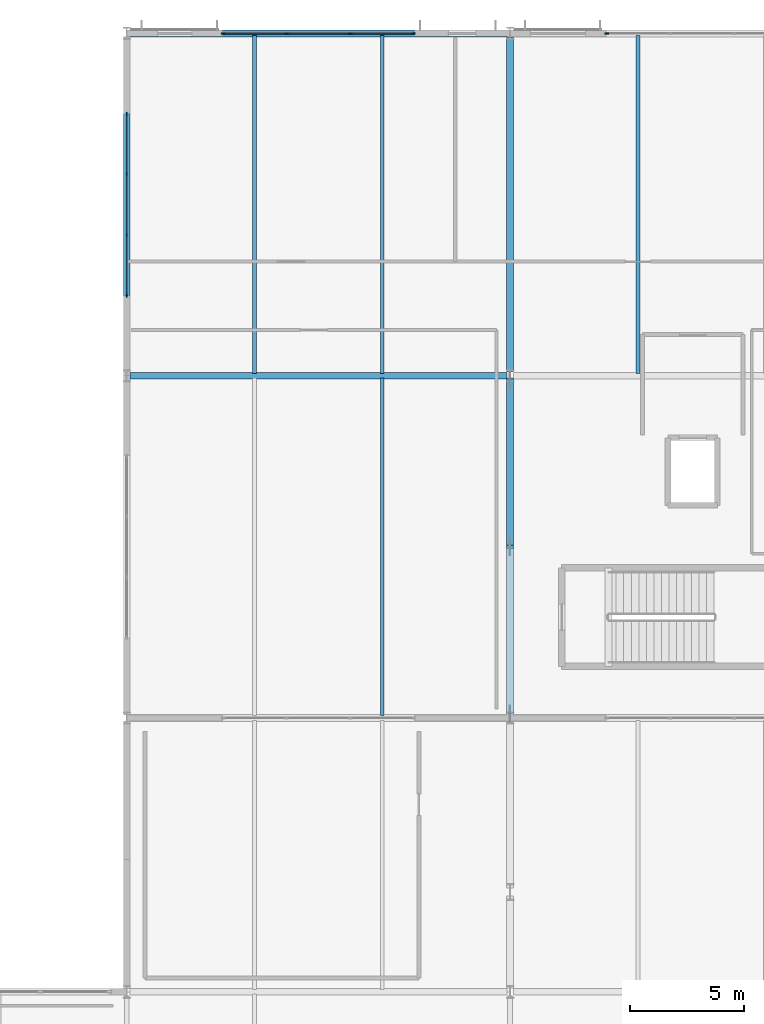
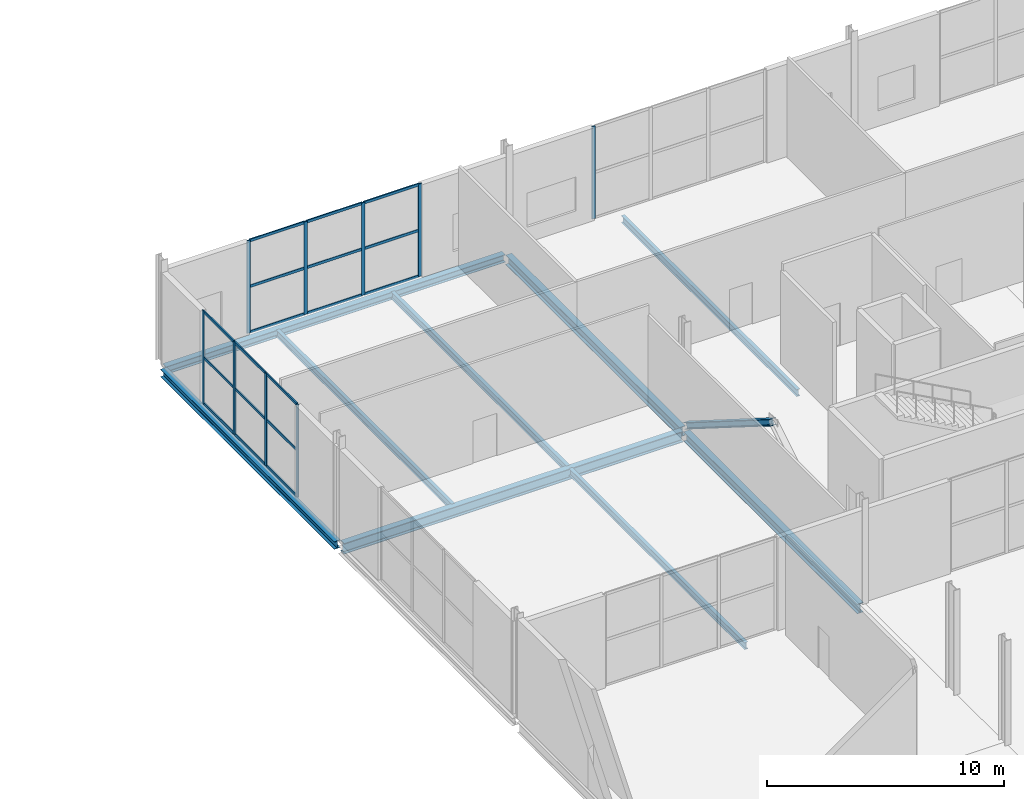
# One storey, part 28 of 84: 28 members, 9 beams, 3 elements without a shape of their own.
"""IFC4 building model written with IfcOpenShell, lengths in metres."""

from ifc_helpers import new_model, si_unit, direction, frame, origin, origin_2d, place, context, subcontext, project, spatial, rectangle, i_section, extrude, material, material_profile, profile_set, type_object, element, aggregate, save


model = new_model("IFC4")

# Units and contexts
model_context = context("Model", 3, precision=1e-05, world=origin(), true_north=direction((0.0, 1.0)))
body_context = subcontext(model_context, "Body", "Model", "MODEL_VIEW")
ifc_project = project(units=[si_unit("LENGTHUNIT", "METRE"), si_unit("AREAUNIT", "SQUARE_METRE"), si_unit("VOLUMEUNIT", "CUBIC_METRE"), si_unit("PLANEANGLEUNIT", "RADIAN"), si_unit("MASSUNIT", "GRAM", prefix="KILO")], contexts=[model_context])

# Site, building, storey
site_placement = place(None, origin())
site = spatial("IfcSite", under=ifc_project, at=site_placement, CompositionType="ELEMENT")
building_placement = place(site_placement, origin())
building = spatial("IfcBuilding", under=site, at=building_placement, Name="Kimbaza Rail Terminus", CompositionType="ELEMENT")
storey_placement = place(building_placement, frame((0.0, 0.0, 5.39990234375)))
storey = spatial("IfcBuildingStorey", under=building, at=storey_placement, Name="L01", CompositionType="ELEMENT", Elevation=5.39990234375)

# Curtain wall, members
ifc_material_1 = material(Name="Anodised aluminium framing and solar low-E glazing", Category="aluminium")
curtain_wall_type = type_object("IfcCurtainWallType", Name="ARC-CW-OP1", PredefinedType="USERDEFINED", material=ifc_material_1)
curtain_wall_1_placement = place(storey_placement, origin())
curtain_wall_1 = element("IfcCurtainWall", 1, at=curtain_wall_1_placement, inside=storey, type_object=curtain_wall_type, Name="Operations North Curtain Wall L01 Bay 1", ObjectType="UNITISED CURTAIN WALL", PredefinedType="USERDEFINED")
ifc_material_2 = material(Name="Anodised architectural aluminium", Category="aluminium")
ifc_material_profile_1 = material_profile(ifc_material_2, rectangle(XDim=0.06201171875, YDim=0.1650390625, at=origin_2d()), Name="MULLION 62x165")
ifc_profile_set_1 = profile_set([ifc_material_profile_1], Name="Anodised architectural aluminium")
member_type_1 = type_object("IfcMemberType", Name="ARC-CWM-05", PredefinedType="MULLION", material=ifc_profile_set_1)
member_1_placement = place(storey_placement, frame((59.430908203125, 133.0, 0.0), z_axis=(0.0, 0.0, 1.0), x_axis=(0.0, 1.0, 0.0)))
member_1 = element("IfcMember", 2, at=member_1_placement, type_object=member_type_1, Name="CW-05 mullion 1", PredefinedType="MULLION", context=body_context, shape_type="SweptSolid", body=[
    extrude(rectangle(XDim=0.06201171875, YDim=0.1650390625, at=origin_2d()), origin(), (0.0, 0.0, 1.0), 4.76513671875),
])
member_2_placement = place(storey_placement, frame((62.199951171875, 133.0, 0.0), z_axis=(0.0, 0.0, 1.0), x_axis=(0.0, 1.0, 0.0)))
member_2 = element("IfcMember", 3, at=member_2_placement, type_object=member_type_1, Name="CW-05 mullion 2", PredefinedType="MULLION", context=body_context, shape_type="SweptSolid", body=[
    extrude(rectangle(XDim=0.06201171875, YDim=0.1650390625, at=origin_2d()), origin(), (0.0, 0.0, 1.0), 4.76513671875),
])
member_3_placement = place(storey_placement, frame((65.0, 133.0, 0.0), z_axis=(0.0, 0.0, 1.0), x_axis=(0.0, 1.0, 0.0)))
member_3 = element("IfcMember", 4, at=member_3_placement, type_object=member_type_1, Name="CW-05 mullion 3", PredefinedType="MULLION", context=body_context, shape_type="SweptSolid", body=[
    extrude(rectangle(XDim=0.06201171875, YDim=0.1650390625, at=origin_2d()), origin(), (0.0, 0.0, 1.0), 4.76513671875),
])
member_4_placement = place(storey_placement, frame((67.76904296875, 133.0, 0.0), z_axis=(0.0, 0.0, 1.0), x_axis=(0.0, 1.0, 0.0)))
member_4 = element("IfcMember", 5, at=member_4_placement, type_object=member_type_1, Name="CW-05 mullion 4", PredefinedType="MULLION", context=body_context, shape_type="SweptSolid", body=[
    extrude(rectangle(XDim=0.06201171875, YDim=0.1650390625, at=origin_2d()), origin(), (0.0, 0.0, 1.0), 4.76513671875),
])

# Curtain wall, member
curtain_wall_2_placement = place(storey_placement, origin())
curtain_wall_2 = element("IfcCurtainWall", 6, at=curtain_wall_2_placement, inside=storey, type_object=curtain_wall_type, Name="Operations North Curtain Wall L01 Bay 2", ObjectType="UNITISED CURTAIN WALL", PredefinedType="USERDEFINED")
member_5_placement = place(storey_placement, frame((76.23095703125, 133.0, 0.0), z_axis=(0.0, 0.0, 1.0), x_axis=(0.0, 1.0, 0.0)))
member_5 = element("IfcMember", 7, at=member_5_placement, type_object=member_type_1, Name="CW-05 mullion 1", PredefinedType="MULLION", context=body_context, shape_type="SweptSolid", body=[
    extrude(rectangle(XDim=0.06201171875, YDim=0.1650390625, at=origin_2d()), origin(), (0.0, 0.0, 1.0), 4.76513671875),
])
aggregate(curtain_wall_2, [member_5])

# Curtain wall, members
curtain_wall_3_placement = place(storey_placement, origin())
curtain_wall_3 = element("IfcCurtainWall", 8, at=curtain_wall_3_placement, inside=storey, type_object=curtain_wall_type, Name="Operations W Curtain Wall L01.2", ObjectType="UNITISED CURTAIN WALL", PredefinedType="USERDEFINED")
member_6_placement = place(storey_placement, frame((55.199951171875, 121.531005859375, 0.0), z_axis=(0.0, 0.0, 1.0), x_axis=(-1.0, 0.0, 0.0)))
member_6 = element("IfcMember", 9, at=member_6_placement, type_object=member_type_1, Name="CW-05 mullion 1", PredefinedType="MULLION", context=body_context, shape_type="SweptSolid", body=[
    extrude(rectangle(XDim=0.06201171875, YDim=0.1650390625, at=origin_2d()), origin(), (0.0, 0.0, 1.0), 4.76513671875),
])
member_7_placement = place(storey_placement, frame((55.199951171875, 124.166748046875, 0.0), z_axis=(0.0, 0.0, 1.0), x_axis=(-1.0, 0.0, 0.0)))
member_7 = element("IfcMember", 10, at=member_7_placement, type_object=member_type_1, Name="CW-05 mullion 2", PredefinedType="MULLION", context=body_context, shape_type="SweptSolid", body=[
    extrude(rectangle(XDim=0.06201171875, YDim=0.1650390625, at=origin_2d()), origin(), (0.0, 0.0, 1.0), 4.76513671875),
])
member_8_placement = place(storey_placement, frame((55.199951171875, 126.833251953125, 0.0), z_axis=(0.0, 0.0, 1.0), x_axis=(-1.0, 0.0, 0.0)))
member_8 = element("IfcMember", 11, at=member_8_placement, type_object=member_type_1, Name="CW-05 mullion 3", PredefinedType="MULLION", context=body_context, shape_type="SweptSolid", body=[
    extrude(rectangle(XDim=0.06201171875, YDim=0.1650390625, at=origin_2d()), origin(), (0.0, 0.0, 1.0), 4.76513671875),
])
member_9_placement = place(storey_placement, frame((55.199951171875, 129.468994140625, 0.0), z_axis=(0.0, 0.0, 1.0), x_axis=(-1.0, 0.0, 0.0)))
member_9 = element("IfcMember", 12, at=member_9_placement, type_object=member_type_1, Name="CW-05 mullion 4", PredefinedType="MULLION", context=body_context, shape_type="SweptSolid", body=[
    extrude(rectangle(XDim=0.06201171875, YDim=0.1650390625, at=origin_2d()), origin(), (0.0, 0.0, 1.0), 4.76513671875),
])

# Member
ifc_material_3 = material(Name="Anodised architectural aluminium", Category="aluminium")
ifc_material_profile_2 = material_profile(ifc_material_3, rectangle(XDim=0.06201171875, YDim=0.135009765625, at=origin_2d()), Name="TRANSOM 62x135")
ifc_profile_set_2 = profile_set([ifc_material_profile_2], Name="Anodised architectural aluminium")
member_type_2 = type_object("IfcMemberType", Name="ARC-CWT-05", PredefinedType="USERDEFINED", material=ifc_profile_set_2)
member_10_placement = place(storey_placement, frame((59.4619140625, 133.0, 0.031005859375), z_axis=(1.0, 0.0, 0.0), x_axis=(0.0, 1.0, 0.0)))
member_10 = element("IfcMember", 13, at=member_10_placement, type_object=member_type_2, Name="CW-05 transom 1.1", ObjectType="TRANSOM", PredefinedType="USERDEFINED", context=body_context, shape_type="SweptSolid", body=[
    extrude(rectangle(XDim=0.06201171875, YDim=0.135009765625, at=origin_2d()), origin(), (0.0, 0.0, 1.0), 2.70703125),
])

member_11_placement = place(storey_placement, frame((59.4619140625, 133.0, 2.382568359375), z_axis=(1.0, 0.0, 0.0), x_axis=(0.0, 1.0, 0.0)))
member_11 = element("IfcMember", 14, at=member_11_placement, type_object=member_type_2, Name="CW-05 transom 1.2", ObjectType="TRANSOM", PredefinedType="USERDEFINED", context=body_context, shape_type="SweptSolid", body=[
    extrude(rectangle(XDim=0.06201171875, YDim=0.135009765625, at=origin_2d()), origin(), (0.0, 0.0, 1.0), 2.70703125),
])

member_12_placement = place(storey_placement, frame((59.4619140625, 133.0, 4.734130859375), z_axis=(1.0, 0.0, 0.0), x_axis=(0.0, 1.0, 0.0)))
member_12 = element("IfcMember", 15, at=member_12_placement, type_object=member_type_2, Name="CW-05 transom 1.3", ObjectType="TRANSOM", PredefinedType="USERDEFINED", context=body_context, shape_type="SweptSolid", body=[
    extrude(rectangle(XDim=0.06201171875, YDim=0.135009765625, at=origin_2d()), origin(), (0.0, 0.0, 1.0), 2.70703125),
])

member_13_placement = place(storey_placement, frame((62.23095703125, 133.0, 0.031005859375), z_axis=(1.0, 0.0, 0.0), x_axis=(0.0, 1.0, 0.0)))
member_13 = element("IfcMember", 16, at=member_13_placement, type_object=member_type_2, Name="CW-05 transom 2.1", ObjectType="TRANSOM", PredefinedType="USERDEFINED", context=body_context, shape_type="SweptSolid", body=[
    extrude(rectangle(XDim=0.06201171875, YDim=0.135009765625, at=origin_2d()), origin(), (0.0, 0.0, 1.0), 2.738037109375),
])

member_14_placement = place(storey_placement, frame((62.23095703125, 133.0, 2.382568359375), z_axis=(1.0, 0.0, 0.0), x_axis=(0.0, 1.0, 0.0)))
member_14 = element("IfcMember", 17, at=member_14_placement, type_object=member_type_2, Name="CW-05 transom 2.2", ObjectType="TRANSOM", PredefinedType="USERDEFINED", context=body_context, shape_type="SweptSolid", body=[
    extrude(rectangle(XDim=0.06201171875, YDim=0.135009765625, at=origin_2d()), origin(), (0.0, 0.0, 1.0), 2.738037109375),
])

member_15_placement = place(storey_placement, frame((62.23095703125, 133.0, 4.734130859375), z_axis=(1.0, 0.0, 0.0), x_axis=(0.0, 1.0, 0.0)))
member_15 = element("IfcMember", 18, at=member_15_placement, type_object=member_type_2, Name="CW-05 transom 2.3", ObjectType="TRANSOM", PredefinedType="USERDEFINED", context=body_context, shape_type="SweptSolid", body=[
    extrude(rectangle(XDim=0.06201171875, YDim=0.135009765625, at=origin_2d()), origin(), (0.0, 0.0, 1.0), 2.738037109375),
])

member_16_placement = place(storey_placement, frame((65.031005859375, 133.0, 0.031005859375), z_axis=(1.0, 0.0, 0.0), x_axis=(0.0, 1.0, 0.0)))
member_16 = element("IfcMember", 19, at=member_16_placement, type_object=member_type_2, Name="CW-05 transom 3.1", ObjectType="TRANSOM", PredefinedType="USERDEFINED", context=body_context, shape_type="SweptSolid", body=[
    extrude(rectangle(XDim=0.06201171875, YDim=0.135009765625, at=origin_2d()), origin(), (0.0, 0.0, 1.0), 2.70703125),
])

member_17_placement = place(storey_placement, frame((65.031005859375, 133.0, 2.382568359375), z_axis=(1.0, 0.0, 0.0), x_axis=(0.0, 1.0, 0.0)))
member_17 = element("IfcMember", 20, at=member_17_placement, type_object=member_type_2, Name="CW-05 transom 3.2", ObjectType="TRANSOM", PredefinedType="USERDEFINED", context=body_context, shape_type="SweptSolid", body=[
    extrude(rectangle(XDim=0.06201171875, YDim=0.135009765625, at=origin_2d()), origin(), (0.0, 0.0, 1.0), 2.70703125),
])

member_18_placement = place(storey_placement, frame((65.031005859375, 133.0, 4.734130859375), z_axis=(1.0, 0.0, 0.0), x_axis=(0.0, 1.0, 0.0)))
member_18 = element("IfcMember", 21, at=member_18_placement, type_object=member_type_2, Name="CW-05 transom 3.3", ObjectType="TRANSOM", PredefinedType="USERDEFINED", context=body_context, shape_type="SweptSolid", body=[
    extrude(rectangle(XDim=0.06201171875, YDim=0.135009765625, at=origin_2d()), origin(), (0.0, 0.0, 1.0), 2.70703125),
])

aggregate(curtain_wall_1, [member_1, member_2, member_3, member_4, member_10, member_11, member_12, member_13, member_14, member_15, member_16, member_17, member_18])

member_19_placement = place(storey_placement, frame((55.199951171875, 121.56201171875, 0.031005859375), z_axis=(0.0, 1.0, 0.0), x_axis=(-1.0, 0.0, 0.0)))
member_19 = element("IfcMember", 22, at=member_19_placement, type_object=member_type_2, Name="CW-05 transom 1.1", ObjectType="TRANSOM", PredefinedType="USERDEFINED", context=body_context, shape_type="SweptSolid", body=[
    extrude(rectangle(XDim=0.06201171875, YDim=0.135009765625, at=origin_2d()), origin(), (0.0, 0.0, 1.0), 2.57373046875),
])

member_20_placement = place(storey_placement, frame((55.199951171875, 121.56201171875, 2.382568359375), z_axis=(0.0, 1.0, 0.0), x_axis=(-1.0, 0.0, 0.0)))
member_20 = element("IfcMember", 23, at=member_20_placement, type_object=member_type_2, Name="CW-05 transom 1.2", ObjectType="TRANSOM", PredefinedType="USERDEFINED", context=body_context, shape_type="SweptSolid", body=[
    extrude(rectangle(XDim=0.06201171875, YDim=0.135009765625, at=origin_2d()), origin(), (0.0, 0.0, 1.0), 2.57373046875),
])

member_21_placement = place(storey_placement, frame((55.199951171875, 121.56201171875, 4.734130859375), z_axis=(0.0, 1.0, 0.0), x_axis=(-1.0, 0.0, 0.0)))
member_21 = element("IfcMember", 24, at=member_21_placement, type_object=member_type_2, Name="CW-05 transom 1.3", ObjectType="TRANSOM", PredefinedType="USERDEFINED", context=body_context, shape_type="SweptSolid", body=[
    extrude(rectangle(XDim=0.06201171875, YDim=0.135009765625, at=origin_2d()), origin(), (0.0, 0.0, 1.0), 2.57373046875),
])

member_22_placement = place(storey_placement, frame((55.199951171875, 124.19775390625, 0.031005859375), z_axis=(0.0, 1.0, 0.0), x_axis=(-1.0, 0.0, 0.0)))
member_22 = element("IfcMember", 25, at=member_22_placement, type_object=member_type_2, Name="CW-05 transom 2.1", ObjectType="TRANSOM", PredefinedType="USERDEFINED", context=body_context, shape_type="SweptSolid", body=[
    extrude(rectangle(XDim=0.06201171875, YDim=0.135009765625, at=origin_2d()), origin(), (0.0, 0.0, 1.0), 2.6044921875),
])

member_23_placement = place(storey_placement, frame((55.199951171875, 124.19775390625, 2.382568359375), z_axis=(0.0, 1.0, 0.0), x_axis=(-1.0, 0.0, 0.0)))
member_23 = element("IfcMember", 26, at=member_23_placement, type_object=member_type_2, Name="CW-05 transom 2.2", ObjectType="TRANSOM", PredefinedType="USERDEFINED", context=body_context, shape_type="SweptSolid", body=[
    extrude(rectangle(XDim=0.06201171875, YDim=0.135009765625, at=origin_2d()), origin(), (0.0, 0.0, 1.0), 2.6044921875),
])

member_24_placement = place(storey_placement, frame((55.199951171875, 124.19775390625, 4.734130859375), z_axis=(0.0, 1.0, 0.0), x_axis=(-1.0, 0.0, 0.0)))
member_24 = element("IfcMember", 27, at=member_24_placement, type_object=member_type_2, Name="CW-05 transom 2.3", ObjectType="TRANSOM", PredefinedType="USERDEFINED", context=body_context, shape_type="SweptSolid", body=[
    extrude(rectangle(XDim=0.06201171875, YDim=0.135009765625, at=origin_2d()), origin(), (0.0, 0.0, 1.0), 2.6044921875),
])

member_25_placement = place(storey_placement, frame((55.199951171875, 126.8642578125, 0.031005859375), z_axis=(0.0, 1.0, 0.0), x_axis=(-1.0, 0.0, 0.0)))
member_25 = element("IfcMember", 28, at=member_25_placement, type_object=member_type_2, Name="CW-05 transom 3.1", ObjectType="TRANSOM", PredefinedType="USERDEFINED", context=body_context, shape_type="SweptSolid", body=[
    extrude(rectangle(XDim=0.06201171875, YDim=0.135009765625, at=origin_2d()), origin(), (0.0, 0.0, 1.0), 2.57373046875),
])

member_26_placement = place(storey_placement, frame((55.199951171875, 126.8642578125, 2.382568359375), z_axis=(0.0, 1.0, 0.0), x_axis=(-1.0, 0.0, 0.0)))
member_26 = element("IfcMember", 29, at=member_26_placement, type_object=member_type_2, Name="CW-05 transom 3.2", ObjectType="TRANSOM", PredefinedType="USERDEFINED", context=body_context, shape_type="SweptSolid", body=[
    extrude(rectangle(XDim=0.06201171875, YDim=0.135009765625, at=origin_2d()), origin(), (0.0, 0.0, 1.0), 2.57373046875),
])

member_27_placement = place(storey_placement, frame((55.199951171875, 126.8642578125, 4.734130859375), z_axis=(0.0, 1.0, 0.0), x_axis=(-1.0, 0.0, 0.0)))
member_27 = element("IfcMember", 30, at=member_27_placement, type_object=member_type_2, Name="CW-05 transom 3.3", ObjectType="TRANSOM", PredefinedType="USERDEFINED", context=body_context, shape_type="SweptSolid", body=[
    extrude(rectangle(XDim=0.06201171875, YDim=0.135009765625, at=origin_2d()), origin(), (0.0, 0.0, 1.0), 2.57373046875),
])

aggregate(curtain_wall_3, [member_6, member_7, member_8, member_9, member_19, member_20, member_21, member_22, member_23, member_24, member_25, member_26, member_27])

# Beams
ifc_material_4 = material(Name="Steel S355", Category="steel")
ifc_material_profile_3 = material_profile(ifc_material_4, i_section(OverallWidth=0.300048828125, OverallDepth=0.389892578125, WebThickness=0.010986328125, FlangeThickness=0.01904296875, FilletRadius=0.027099609375, at=origin_2d()), Name="HEA 400")
ifc_profile_set_3 = profile_set([ifc_material_profile_3], Name="Steel S355")
beam_type_1 = type_object("IfcBeamType", Name="STR-BM-HEA400", PredefinedType="SPANDREL", material=ifc_profile_set_3)
beam_1_placement = place(storey_placement, frame((55.345947265625, 133.0, -0.434814453125), z_axis=(1.0, 0.0, 0.0), x_axis=(0.0, 1.0, 0.0)))
element("IfcBeam", 31, at=beam_1_placement, inside=storey, type_object=beam_type_1, Name="Operations Girder L01 X0-Y2", PredefinedType="SPANDREL", context=body_context, shape_type="SweptSolid", body=[
    extrude(i_section(OverallWidth=0.300048828125, OverallDepth=0.389892578125, WebThickness=0.010986328125, FlangeThickness=0.01904296875, FilletRadius=0.027099609375, at=origin_2d()), origin(), (0.0, 0.0, 1.0), 16.508056640625),
])
beam_2_placement = place(storey_placement, frame((55.199951171875, 118.175048828125, -0.434814453125), z_axis=(0.0, 1.0, 0.0), x_axis=(-1.0, 0.0, 0.0)))
element("IfcBeam", 32, at=beam_2_placement, inside=storey, type_object=beam_type_1, Name="Operations Cross Girder L01 X0-Y1", PredefinedType="SPANDREL", context=body_context, shape_type="SweptSolid", body=[
    extrude(i_section(OverallWidth=0.300048828125, OverallDepth=0.389892578125, WebThickness=0.010986328125, FlangeThickness=0.01904296875, FilletRadius=0.027099609375, at=origin_2d()), origin(), (0.0, 0.0, 1.0), 14.64990234375),
])
ifc_material_5 = material(Name="Steel S355", Category="steel")
ifc_material_profile_4 = material_profile(ifc_material_5, i_section(OverallWidth=0.300048828125, OverallDepth=0.5, WebThickness=0.014404296875, FlangeThickness=0.028076171875, FilletRadius=0.027099609375, at=origin_2d()), Name="HEB 500")
ifc_profile_set_4 = profile_set([ifc_material_profile_4], Name="Steel S355")
beam_type_2 = type_object("IfcBeamType", Name="STR-BM-HEB500", PredefinedType="BEAM", material=ifc_profile_set_4)
for number, where, z_axis, x_axis, name in (
    (33, (72.0, 103.175048828125, -0.489990234375), (0.0, 1.0, 0.0), (-1.0, 0.0, 0.0), "Operations Cross Girder L01 X1-Y0"),
    (34, (72.0, 118.175048828125, -0.489990234375), (0.0, 1.0, 0.0), (-1.0, 0.0, 0.0), "Operations Cross Girder L01 X1-Y1"),
):
    element("IfcBeam", number, at=place(storey_placement, frame(where, z_axis=z_axis, x_axis=x_axis)), inside=storey, type_object=beam_type_2, Name=name, PredefinedType="BEAM", context=body_context, shape_type="SweptSolid", body=[
        extrude(i_section(OverallWidth=0.300048828125, OverallDepth=0.5, WebThickness=0.014404296875, FlangeThickness=0.028076171875, FilletRadius=0.027099609375, at=origin_2d()), origin(), (0.0, 0.0, 1.0), 14.64990234375),
    ])
ifc_material_6 = material(Name="Steel S355", Category="steel")
ifc_material_profile_5 = material_profile(ifc_material_6, i_section(OverallWidth=0.300048828125, OverallDepth=0.550048828125, WebThickness=0.014892578125, FlangeThickness=0.029052734375, FilletRadius=0.027099609375, at=origin_2d()), Name="HEB 550")
ifc_profile_set_5 = profile_set([ifc_material_profile_5], Name="Steel S355")
beam_type_3 = type_object("IfcBeamType", Name="STR-BM-HEB550", PredefinedType="BEAM", material=ifc_profile_set_5)
beam_3_placement = place(storey_placement, frame((55.345947265625, 118.0, -0.514892578125), z_axis=(1.0, 0.0, 0.0), x_axis=(0.0, 1.0, 0.0)))
element("IfcBeam", 35, at=beam_3_placement, inside=storey, type_object=beam_type_3, Name="Operations Girder L01 X0-Y1", PredefinedType="BEAM", context=body_context, shape_type="SweptSolid", body=[
    extrude(i_section(OverallWidth=0.300048828125, OverallDepth=0.550048828125, WebThickness=0.014892578125, FlangeThickness=0.029052734375, FilletRadius=0.027099609375, at=origin_2d()), origin(), (0.0, 0.0, 1.0), 16.508056640625),
])
ifc_material_7 = material(Name="Steel S355", Category="steel")
ifc_material_profile_6 = material_profile(ifc_material_7, i_section(OverallWidth=0.169921875, OverallDepth=0.360107421875, WebThickness=0.008056640625, FlangeThickness=0.0126953125, FilletRadius=0.01806640625, at=origin_2d()), Name="IPE 360")
ifc_profile_set_6 = profile_set([ifc_material_profile_6], Name="Steel S355")
beam_type_4 = type_object("IfcBeamType", Name="STR-BM-IPE360", PredefinedType="JOIST", material=ifc_profile_set_6)
for number, where, z_axis, x_axis, name in (
    (36, (60.800048828125, 118.10009765625, -0.419921875), (0.0, 1.0, 0.0), (-1.0, 0.0, 0.0), "Operations Secondary Joist L01"),
    (37, (66.39990234375, 103.10009765625, -0.419921875), (0.0, 1.0, 0.0), (-1.0, 0.0, 0.0), "Operations Secondary Joist L01"),
    (38, (66.39990234375, 118.10009765625, -0.419921875), (0.0, 1.0, 0.0), (-1.0, 0.0, 0.0), "Operations Secondary Joist L01"),
    (39, (77.60009765625, 118.10009765625, -0.419921875), (0.0, 1.0, 0.0), (-1.0, 0.0, 0.0), "Operations Secondary Joist L01"),
):
    element("IfcBeam", number, at=place(storey_placement, frame(where, z_axis=z_axis, x_axis=x_axis)), inside=storey, type_object=beam_type_4, Name=name, PredefinedType="JOIST", context=body_context, shape_type="SweptSolid", body=[
        extrude(i_section(OverallWidth=0.169921875, OverallDepth=0.360107421875, WebThickness=0.008056640625, FlangeThickness=0.0126953125, FilletRadius=0.01806640625, at=origin_2d()), origin(), (0.0, 0.0, 1.0), 14.7998046875),
    ])

# Member
ifc_material_8 = material(Name="Steel S355", Category="steel")
ifc_material_profile_7 = material_profile(ifc_material_8, i_section(OverallWidth=0.300048828125, OverallDepth=0.300048828125, WebThickness=0.010986328125, FlangeThickness=0.01904296875, FilletRadius=0.027099609375, at=origin_2d()), Name="HEB 300")
ifc_profile_set_7 = profile_set([ifc_material_profile_7], Name="Steel S355")
member_type_3 = type_object("IfcMemberType", Name="STR-MB-HEB300", PredefinedType="BRACE", material=ifc_profile_set_7)
member_28_placement = place(storey_placement, frame((72.0, 117.820068359375, 0.050048828125), z_axis=(0.0, -0.846171567323, 0.53291057285), x_axis=(1.0, 0.0, 0.0)))
element("IfcMember", 40, at=member_28_placement, inside=storey, type_object=member_type_3, Name="Core Chevron Brace 2B", PredefinedType="BRACE", context=body_context, shape_type="SweptSolid", body=[
    extrude(i_section(OverallWidth=0.300048828125, OverallDepth=0.300048828125, WebThickness=0.010986328125, FlangeThickness=0.01904296875, FilletRadius=0.027099609375, at=origin_2d()), origin(), (0.0, 0.0, 1.0), 8.65087890625),
])

save(model, "model.ifc")
